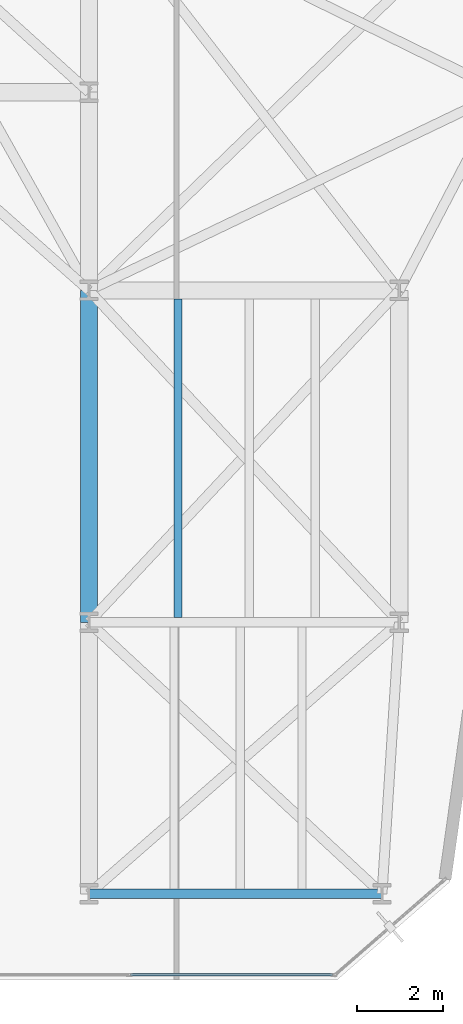
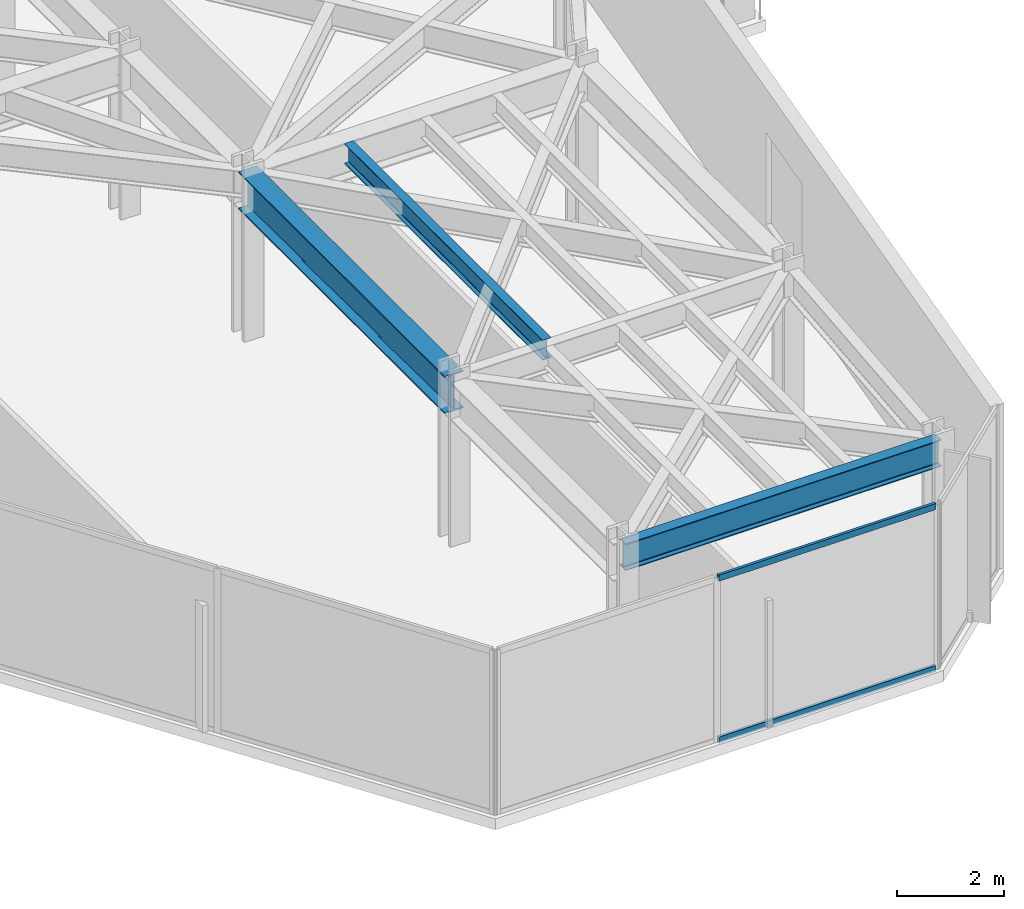
# One storey, part 18 of 26: 3 beams, 2 members, 1 element without a shape of its own.
"""IFC4 building model written with IfcOpenShell, lengths in metres."""

from ifc_helpers import new_model, si_unit, direction, frame, origin, origin_2d, place, context, subcontext, project, spatial, hollow_rectangle, i_section, extrude, material, layer, layer_set, material_profile, profile_set, type_object, element, aggregate, save


model = new_model("IFC4")

# Units and contexts
model_context = context("Model", 3, precision=1e-05, world=origin(), true_north=direction((0.0, 1.0)))
body_context = subcontext(model_context, "Body", "Model", "MODEL_VIEW")
ifc_project = project(units=[si_unit("LENGTHUNIT", "METRE"), si_unit("AREAUNIT", "SQUARE_METRE"), si_unit("VOLUMEUNIT", "CUBIC_METRE"), si_unit("PLANEANGLEUNIT", "RADIAN"), si_unit("MASSUNIT", "GRAM", prefix="KILO")], contexts=[model_context])

# Site, building, storey
site_placement = place(None, origin())
site = spatial("IfcSite", under=ifc_project, at=site_placement, CompositionType="ELEMENT")
building_placement = place(site_placement, origin())
building = spatial("IfcBuilding", under=site, at=building_placement, Name="Kravanh Interchange Tower", CompositionType="ELEMENT")
storey_placement = place(building_placement, frame((0.0, 0.0, 100.0)))
storey = spatial("IfcBuildingStorey", under=building, at=storey_placement, Name="L23", CompositionType="ELEMENT", Elevation=100.0)

# Curtain wall, members
ifc_material_1 = material(Name="Anodised Bronze Aluminium", Category="aluminium")
ifc_layer = layer(ifc_material_1, 0.179931640625)
ifc_layer_set = layer_set([ifc_layer], Name="Unitised Curtain Wall System CW-Z2 Mid Office")
curtain_wall_type = type_object("IfcCurtainWallType", Name="Unitised Curtain Wall System CW-Z2 Mid Office", PredefinedType="NOTDEFINED", material=ifc_layer_set)
curtain_wall_placement = place(storey_placement, origin())
curtain_wall = element("IfcCurtainWall", 1, at=curtain_wall_placement, inside=storey, type_object=curtain_wall_type, Name="L23 Unitised Curtain Wall CW-L23-03", PredefinedType="NOTDEFINED")
ifc_material_2 = material(Name="Anodised Bronze Aluminium", Category="aluminium")
ifc_material_profile_1 = material_profile(ifc_material_2, hollow_rectangle(XDim=0.06005859375, YDim=0.139892578125, WallThickness=0.00390625, at=origin_2d()), Name="ALU60X140X4")
ifc_profile_set_1 = profile_set([ifc_material_profile_1], Name="Anodised Bronze Aluminium")
member_type = type_object("IfcMemberType", Name="Curtain Wall Transom ALU60X140X4 Bronze", PredefinedType="USERDEFINED", material=ifc_profile_set_1)
member_1_placement = place(storey_placement, frame((61.650146484375, 6.320068359375, 0.030029296875), z_axis=(-1.0, 0.0, 0.0), x_axis=(0.0, -1.0, 0.0)))
member_1 = element("IfcMember", 2, at=member_1_placement, type_object=member_type, Name="CW-Z2 transom 1.1", ObjectType="TRANSOM", PredefinedType="USERDEFINED", context=body_context, shape_type="SweptSolid", body=[
    extrude(hollow_rectangle(XDim=0.06005859375, YDim=0.139892578125, WallThickness=0.00390625, at=origin_2d()), origin(), (0.0, 0.0, 1.0), 4.68212890625),
])
member_2_placement = place(storey_placement, frame((61.650146484375, 6.320068359375, 3.719970703125), z_axis=(-1.0, 0.0, 0.0), x_axis=(0.0, -1.0, 0.0)))
member_2 = element("IfcMember", 3, at=member_2_placement, type_object=member_type, Name="CW-Z2 transom 1.2", ObjectType="TRANSOM", PredefinedType="USERDEFINED", context=body_context, shape_type="SweptSolid", body=[
    extrude(hollow_rectangle(XDim=0.06005859375, YDim=0.139892578125, WallThickness=0.00390625, at=origin_2d()), origin(), (0.0, 0.0, 1.0), 4.68212890625),
])
aggregate(curtain_wall, [member_1, member_2])

# Beams
ifc_material_3 = material(Name="Structural Steel S355", Category="steel")
ifc_material_profile_2 = material_profile(ifc_material_3, i_section(OverallWidth=0.39990234375, OverallDepth=0.85595703125, WebThickness=0.018310546875, FlangeThickness=0.029296875, FilletRadius=0.02490234375, at=origin_2d()), Name="W33X201")
ifc_profile_set_2 = profile_set([ifc_material_profile_2], Name="Structural Steel S355")
beam_type_1 = type_object("IfcBeamType", Name="Floor Beam W33X201 Structural Steel S355", PredefinedType="BEAM", material=ifc_profile_set_2)
beam_1_placement = place(storey_placement, frame((56.0, 14.5, 3.322021484375), z_axis=(0.0, 1.0, 0.0), x_axis=(-1.0, 0.0, 0.0)))
element("IfcBeam", 4, at=beam_1_placement, inside=storey, type_object=beam_type_1, Name="L23 Primary Floor Girder 104", PredefinedType="BEAM", context=body_context, shape_type="SweptSolid", body=[
    extrude(i_section(OverallWidth=0.39990234375, OverallDepth=0.85595703125, WebThickness=0.018310546875, FlangeThickness=0.029296875, FilletRadius=0.02490234375, at=origin_2d()), origin(), (0.0, 0.0, 1.0), 7.699951171875),
])
ifc_material_4 = material(Name="Structural Steel S355", Category="steel")
ifc_material_profile_3 = material_profile(ifc_material_4, i_section(OverallWidth=0.18994140625, OverallDepth=0.45703125, WebThickness=0.009033203125, FlangeThickness=0.014404296875, FilletRadius=0.01806640625, at=origin_2d()), Name="W18X50")
ifc_profile_set_3 = profile_set([ifc_material_profile_3], Name="Structural Steel S355")
beam_type_2 = type_object("IfcBeamType", Name="Floor Joist W18X50 Structural Steel S355", PredefinedType="JOIST", material=ifc_profile_set_3)
beam_2_placement = place(storey_placement, frame((58.06591796875, 14.60888671875, 3.521484375), z_axis=(0.0, 1.0, 0.0), x_axis=(-1.0, 0.0, 0.0)))
element("IfcBeam", 5, at=beam_2_placement, inside=storey, type_object=beam_type_2, Name="L23 Secondary Floor Joist 10", PredefinedType="JOIST", context=body_context, shape_type="SweptSolid", body=[
    extrude(i_section(OverallWidth=0.18994140625, OverallDepth=0.45703125, WebThickness=0.009033203125, FlangeThickness=0.014404296875, FilletRadius=0.01806640625, at=origin_2d()), origin(), (0.0, 0.0, 1.0), 7.39599609375),
])
ifc_material_5 = material(Name="Structural Steel S355", Category="steel")
ifc_material_profile_4 = material_profile(ifc_material_5, i_section(OverallWidth=0.22802734375, OverallDepth=0.60791015625, WebThickness=0.01123046875, FlangeThickness=0.017333984375, FilletRadius=0.02197265625, at=origin_2d()), Name="W24X76")
ifc_profile_set_4 = profile_set([ifc_material_profile_4], Name="Structural Steel S355")
beam_type_3 = type_object("IfcBeamType", Name="Floor Spandrel W24X76 Structural Steel S355", PredefinedType="SPANDREL", material=ifc_profile_set_4)
beam_3_placement = place(storey_placement, frame((56.0, 8.199951171875, 3.446044921875), z_axis=(1.0, 0.0, 0.0), x_axis=(0.0, 1.0, 0.0)))
element("IfcBeam", 6, at=beam_3_placement, inside=storey, type_object=beam_type_3, Name="L23 Perimeter Spandrel 96", PredefinedType="SPANDREL", context=body_context, shape_type="SweptSolid", body=[
    extrude(i_section(OverallWidth=0.22802734375, OverallDepth=0.60791015625, WebThickness=0.01123046875, FlangeThickness=0.017333984375, FilletRadius=0.02197265625, at=origin_2d()), origin(), (0.0, 0.0, 1.0), 6.800048828125),
])

save(model, "model.ifc")
